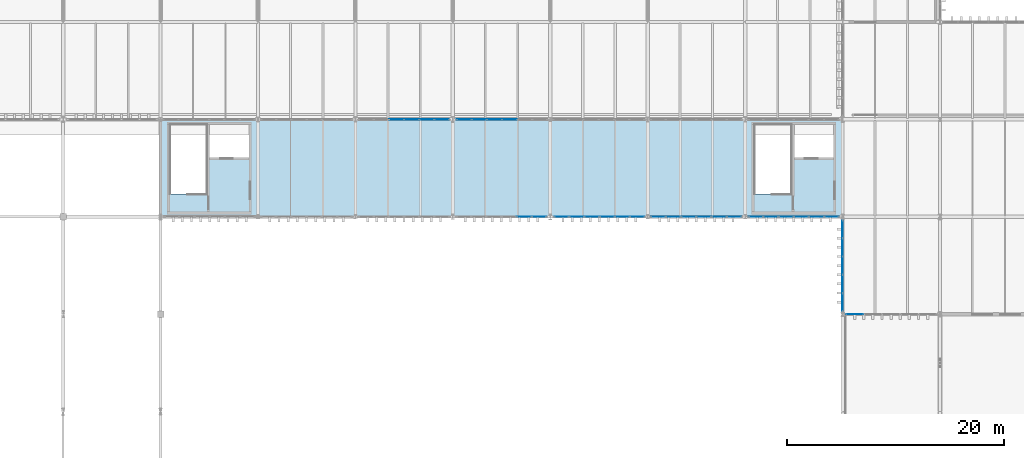
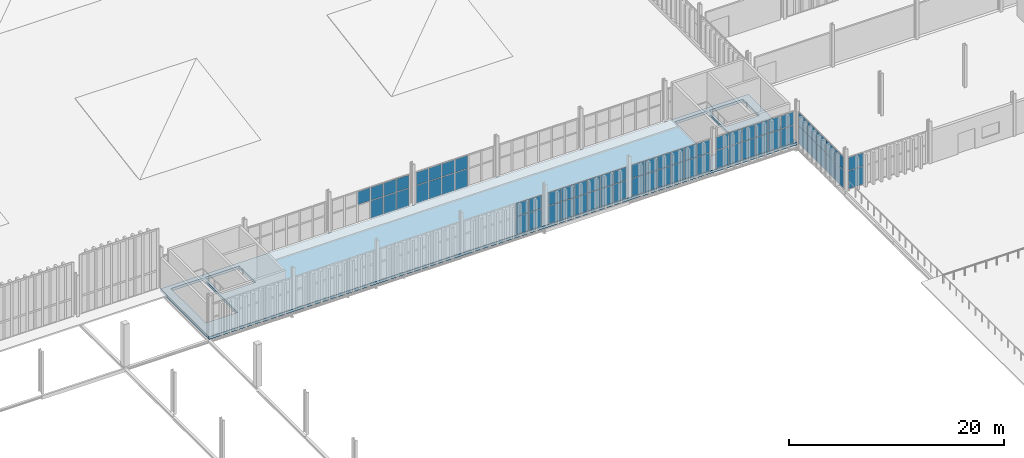
# One storey, part 159 of 196: 67 plates, 1 slab, 8 elements without a shape of their own.
"""IFC4 building model written with IfcOpenShell, lengths in metres."""

from ifc_helpers import new_model, si_unit, direction, frame, origin, origin_2d, place, context, subcontext, project, spatial, polyline, rectangle, outline, extrude, material, layer, layer_set, type_object, element, aggregate, save


model = new_model("IFC4")

# Units and contexts
model_context = context("Model", 3, precision=1e-05, world=origin(), true_north=direction((0.0, 1.0)))
body_context = subcontext(model_context, "Body", "Model", "MODEL_VIEW")
ifc_project = project(units=[si_unit("LENGTHUNIT", "METRE"), si_unit("AREAUNIT", "SQUARE_METRE"), si_unit("VOLUMEUNIT", "CUBIC_METRE"), si_unit("PLANEANGLEUNIT", "RADIAN"), si_unit("MASSUNIT", "GRAM", prefix="KILO")], contexts=[model_context])

# Site, building, storey
site_placement = place(None, origin())
site = spatial("IfcSite", under=ifc_project, at=site_placement, CompositionType="ELEMENT")
building_placement = place(site_placement, origin())
building = spatial("IfcBuilding", under=site, at=building_placement, Name="Barlavento Convention Centre", CompositionType="ELEMENT")
storey_placement = place(building_placement, frame((0.0, 0.0, 18.0)))
storey = spatial("IfcBuildingStorey", under=building, at=storey_placement, Name="L03", CompositionType="ELEMENT", Elevation=18.0)

# Curtain wall, plates
ifc_material_1 = material(Name="Powder-coated aluminium and Low-E glass", Category="aluminium")
ifc_layer_1 = layer(ifc_material_1, 0.179931640625)
ifc_layer_set_1 = layer_set([ifc_layer_1], Name="ARC-CW-CONF-L03")
curtain_wall_type = type_object("IfcCurtainWallType", Name="ARC-CW-CONF-L03", PredefinedType="NOTDEFINED", material=ifc_layer_set_1)
curtain_wall_1_placement = place(storey_placement, origin())
curtain_wall_1 = element("IfcCurtainWall", 1, at=curtain_wall_1_placement, inside=storey, type_object=curtain_wall_type, Name="L03 unitised curtain wall CW08", PredefinedType="NOTDEFINED")
ifc_material_2 = material(Name="Double-silver Low-E insulated glass", Category="glass")
ifc_layer_2 = layer(ifc_material_2, 0.028076171875)
ifc_layer_set_2 = layer_set([ifc_layer_2], Name="ARC-CWP-GLZ28")
plate_type_1 = type_object("IfcPlateType", Name="ARC-CWP-GLZ28", PredefinedType="CURTAIN_PANEL", material=ifc_layer_set_2)
plate_1_placement = place(storey_placement, frame((84.788818359375, 54.0, 2.130126953125), z_axis=(0.0, 0.0, 1.0), x_axis=(1.0, 0.0, 0.0)))
plate_1 = element("IfcPlate", 2, at=plate_1_placement, type_object=plate_type_1, Name="CW08 panel 3.2", PredefinedType="CURTAIN_PANEL", context=body_context, shape_type="SweptSolid", body=[
    extrude(rectangle(XDim=1.33740234375, YDim=0.028076171875, at=origin_2d()), origin(), (0.0, 0.0, 1.0), 1.4599609375),
])
plate_2_placement = place(storey_placement, frame((86.186279296875, 54.0, 0.06005859375), z_axis=(0.0, 0.0, 1.0), x_axis=(1.0, 0.0, 0.0)))
plate_2 = element("IfcPlate", 3, at=plate_2_placement, type_object=plate_type_1, Name="CW08 panel 4.1", PredefinedType="CURTAIN_PANEL", context=body_context, shape_type="SweptSolid", body=[
    extrude(rectangle(XDim=1.33740234375, YDim=0.028076171875, at=origin_2d()), origin(), (0.0, 0.0, 1.0), 2.010009765625),
])
plate_3_placement = place(storey_placement, frame((86.186279296875, 54.0, 2.130126953125), z_axis=(0.0, 0.0, 1.0), x_axis=(1.0, 0.0, 0.0)))
plate_3 = element("IfcPlate", 4, at=plate_3_placement, type_object=plate_type_1, Name="CW08 panel 4.2", PredefinedType="CURTAIN_PANEL", context=body_context, shape_type="SweptSolid", body=[
    extrude(rectangle(XDim=1.33740234375, YDim=0.028076171875, at=origin_2d()), origin(), (0.0, 0.0, 1.0), 1.4599609375),
])
plate_4_placement = place(storey_placement, frame((87.583740234375, 54.0, 0.06005859375), z_axis=(0.0, 0.0, 1.0), x_axis=(1.0, 0.0, 0.0)))
plate_4 = element("IfcPlate", 5, at=plate_4_placement, type_object=plate_type_1, Name="CW08 panel 5.1", PredefinedType="CURTAIN_PANEL", context=body_context, shape_type="SweptSolid", body=[
    extrude(rectangle(XDim=1.33740234375, YDim=0.028076171875, at=origin_2d()), origin(), (0.0, 0.0, 1.0), 2.010009765625),
])
plate_5_placement = place(storey_placement, frame((87.583740234375, 54.0, 2.130126953125), z_axis=(0.0, 0.0, 1.0), x_axis=(1.0, 0.0, 0.0)))
plate_5 = element("IfcPlate", 6, at=plate_5_placement, type_object=plate_type_1, Name="CW08 panel 5.2", PredefinedType="CURTAIN_PANEL", context=body_context, shape_type="SweptSolid", body=[
    extrude(rectangle(XDim=1.33740234375, YDim=0.028076171875, at=origin_2d()), origin(), (0.0, 0.0, 1.0), 1.4599609375),
])
plate_6_placement = place(storey_placement, frame((88.96630859375, 54.0, 0.06005859375), z_axis=(0.0, 0.0, 1.0), x_axis=(1.0, 0.0, 0.0)))
plate_6 = element("IfcPlate", 7, at=plate_6_placement, type_object=plate_type_1, Name="CW08 panel 6.1", PredefinedType="CURTAIN_PANEL", context=body_context, shape_type="SweptSolid", body=[
    extrude(rectangle(XDim=1.3076171875, YDim=0.028076171875, at=origin_2d()), origin(), (0.0, 0.0, 1.0), 2.010009765625),
])
plate_7_placement = place(storey_placement, frame((88.96630859375, 54.0, 2.130126953125), z_axis=(0.0, 0.0, 1.0), x_axis=(1.0, 0.0, 0.0)))
plate_7 = element("IfcPlate", 8, at=plate_7_placement, type_object=plate_type_1, Name="CW08 panel 6.2", PredefinedType="CURTAIN_PANEL", context=body_context, shape_type="SweptSolid", body=[
    extrude(rectangle(XDim=1.3076171875, YDim=0.028076171875, at=origin_2d()), origin(), (0.0, 0.0, 1.0), 1.4599609375),
])
aggregate(curtain_wall_1, [plate_1, plate_2, plate_3, plate_4, plate_5, plate_6, plate_7])

curtain_wall_2_placement = place(storey_placement, origin())
curtain_wall_2 = element("IfcCurtainWall", 9, at=curtain_wall_2_placement, inside=storey, type_object=curtain_wall_type, Name="L03 unitised curtain wall CW08", PredefinedType="NOTDEFINED")
plate_8_placement = place(storey_placement, frame((91.038330078125, 54.0, 0.06005859375), z_axis=(0.0, 0.0, 1.0), x_axis=(1.0, 0.0, 0.0)))
plate_8 = element("IfcPlate", 10, at=plate_8_placement, type_object=plate_type_1, Name="CW08 panel 1.1", PredefinedType="CURTAIN_PANEL", context=body_context, shape_type="SweptSolid", body=[
    extrude(rectangle(XDim=1.316650390625, YDim=0.028076171875, at=origin_2d()), origin(), (0.0, 0.0, 1.0), 2.010009765625),
])
plate_9_placement = place(storey_placement, frame((91.038330078125, 54.0, 2.130126953125), z_axis=(0.0, 0.0, 1.0), x_axis=(1.0, 0.0, 0.0)))
plate_9 = element("IfcPlate", 11, at=plate_9_placement, type_object=plate_type_1, Name="CW08 panel 1.2", PredefinedType="CURTAIN_PANEL", context=body_context, shape_type="SweptSolid", body=[
    extrude(rectangle(XDim=1.316650390625, YDim=0.028076171875, at=origin_2d()), origin(), (0.0, 0.0, 1.0), 1.4599609375),
])
plate_10_placement = place(storey_placement, frame((92.429931640625, 54.0, 0.06005859375), z_axis=(0.0, 0.0, 1.0), x_axis=(1.0, 0.0, 0.0)))
plate_10 = element("IfcPlate", 12, at=plate_10_placement, type_object=plate_type_1, Name="CW08 panel 2.1", PredefinedType="CURTAIN_PANEL", context=body_context, shape_type="SweptSolid", body=[
    extrude(rectangle(XDim=1.3466796875, YDim=0.028076171875, at=origin_2d()), origin(), (0.0, 0.0, 1.0), 2.010009765625),
])
plate_11_placement = place(storey_placement, frame((92.429931640625, 54.0, 2.130126953125), z_axis=(0.0, 0.0, 1.0), x_axis=(1.0, 0.0, 0.0)))
plate_11 = element("IfcPlate", 13, at=plate_11_placement, type_object=plate_type_1, Name="CW08 panel 2.2", PredefinedType="CURTAIN_PANEL", context=body_context, shape_type="SweptSolid", body=[
    extrude(rectangle(XDim=1.3466796875, YDim=0.028076171875, at=origin_2d()), origin(), (0.0, 0.0, 1.0), 1.4599609375),
])
plate_12_placement = place(storey_placement, frame((93.836669921875, 54.0, 0.06005859375), z_axis=(0.0, 0.0, 1.0), x_axis=(1.0, 0.0, 0.0)))
plate_12 = element("IfcPlate", 14, at=plate_12_placement, type_object=plate_type_1, Name="CW08 panel 3.1", PredefinedType="CURTAIN_PANEL", context=body_context, shape_type="SweptSolid", body=[
    extrude(rectangle(XDim=1.3466796875, YDim=0.028076171875, at=origin_2d()), origin(), (0.0, 0.0, 1.0), 2.010009765625),
])
plate_13_placement = place(storey_placement, frame((93.836669921875, 54.0, 2.130126953125), z_axis=(0.0, 0.0, 1.0), x_axis=(1.0, 0.0, 0.0)))
plate_13 = element("IfcPlate", 15, at=plate_13_placement, type_object=plate_type_1, Name="CW08 panel 3.2", PredefinedType="CURTAIN_PANEL", context=body_context, shape_type="SweptSolid", body=[
    extrude(rectangle(XDim=1.3466796875, YDim=0.028076171875, at=origin_2d()), origin(), (0.0, 0.0, 1.0), 1.4599609375),
])
plate_14_placement = place(storey_placement, frame((95.243408203125, 54.0, 0.06005859375), z_axis=(0.0, 0.0, 1.0), x_axis=(1.0, 0.0, 0.0)))
plate_14 = element("IfcPlate", 16, at=plate_14_placement, type_object=plate_type_1, Name="CW08 panel 4.1", PredefinedType="CURTAIN_PANEL", context=body_context, shape_type="SweptSolid", body=[
    extrude(rectangle(XDim=1.3466796875, YDim=0.028076171875, at=origin_2d()), origin(), (0.0, 0.0, 1.0), 2.010009765625),
])
plate_15_placement = place(storey_placement, frame((95.243408203125, 54.0, 2.130126953125), z_axis=(0.0, 0.0, 1.0), x_axis=(1.0, 0.0, 0.0)))
plate_15 = element("IfcPlate", 17, at=plate_15_placement, type_object=plate_type_1, Name="CW08 panel 4.2", PredefinedType="CURTAIN_PANEL", context=body_context, shape_type="SweptSolid", body=[
    extrude(rectangle(XDim=1.3466796875, YDim=0.028076171875, at=origin_2d()), origin(), (0.0, 0.0, 1.0), 1.4599609375),
])
aggregate(curtain_wall_2, [plate_8, plate_9, plate_10, plate_11, plate_12, plate_13, plate_14, plate_15])

curtain_wall_3_placement = place(storey_placement, origin())
curtain_wall_3 = element("IfcCurtainWall", 18, at=curtain_wall_3_placement, inside=storey, type_object=curtain_wall_type, Name="L03 unitised curtain wall CW08", PredefinedType="NOTDEFINED")
plate_16_placement = place(storey_placement, frame((127.12841796875, 36.0, 0.06005859375), z_axis=(0.0, 0.0, 1.0), x_axis=(1.0, 0.0, 0.0)))
plate_16 = element("IfcPlate", 19, at=plate_16_placement, type_object=plate_type_1, Name="CW08 panel 1.1", PredefinedType="CURTAIN_PANEL", context=body_context, shape_type="SweptSolid", body=[
    extrude(rectangle(XDim=1.596923828125, YDim=0.028076171875, at=origin_2d()), origin(), (0.0, 0.0, 1.0), 2.010009765625),
])
plate_17_placement = place(storey_placement, frame((127.12841796875, 36.0, 2.130126953125), z_axis=(0.0, 0.0, 1.0), x_axis=(1.0, 0.0, 0.0)))
plate_17 = element("IfcPlate", 20, at=plate_17_placement, type_object=plate_type_1, Name="CW08 panel 1.2", PredefinedType="CURTAIN_PANEL", context=body_context, shape_type="SweptSolid", body=[
    extrude(rectangle(XDim=1.596923828125, YDim=0.028076171875, at=origin_2d()), origin(), (0.0, 0.0, 1.0), 1.4599609375),
])
aggregate(curtain_wall_3, [plate_16, plate_17])

curtain_wall_4_placement = place(storey_placement, origin())
curtain_wall_4 = element("IfcCurtainWall", 21, at=curtain_wall_4_placement, inside=storey, type_object=curtain_wall_type, Name="L03 unitised curtain wall CW08", PredefinedType="NOTDEFINED")
plate_18_placement = place(storey_placement, frame((126.0, 37.12841796875, 0.06005859375), z_axis=(0.0, 0.0, 1.0), x_axis=(0.0, 1.0, 0.0)))
plate_18 = element("IfcPlate", 22, at=plate_18_placement, type_object=plate_type_1, Name="CW08 panel 1.1", PredefinedType="CURTAIN_PANEL", context=body_context, shape_type="SweptSolid", body=[
    extrude(rectangle(XDim=1.596923828125, YDim=0.028076171875, at=origin_2d()), origin(), (0.0, 0.0, 1.0), 2.010009765625),
])
plate_19_placement = place(storey_placement, frame((126.0, 37.12841796875, 2.130126953125), z_axis=(0.0, 0.0, 1.0), x_axis=(0.0, 1.0, 0.0)))
plate_19 = element("IfcPlate", 23, at=plate_19_placement, type_object=plate_type_1, Name="CW08 panel 1.2", PredefinedType="CURTAIN_PANEL", context=body_context, shape_type="SweptSolid", body=[
    extrude(rectangle(XDim=1.596923828125, YDim=0.028076171875, at=origin_2d()), origin(), (0.0, 0.0, 1.0), 1.4599609375),
])
plate_20_placement = place(storey_placement, frame((126.0, 38.800537109375, 0.06005859375), z_axis=(0.0, 0.0, 1.0), x_axis=(0.0, 1.0, 0.0)))
plate_20 = element("IfcPlate", 24, at=plate_20_placement, type_object=plate_type_1, Name="CW08 panel 2.1", PredefinedType="CURTAIN_PANEL", context=body_context, shape_type="SweptSolid", body=[
    extrude(rectangle(XDim=1.626953125, YDim=0.028076171875, at=origin_2d()), origin(), (0.0, 0.0, 1.0), 2.010009765625),
])
plate_21_placement = place(storey_placement, frame((126.0, 38.800537109375, 2.130126953125), z_axis=(0.0, 0.0, 1.0), x_axis=(0.0, 1.0, 0.0)))
plate_21 = element("IfcPlate", 25, at=plate_21_placement, type_object=plate_type_1, Name="CW08 panel 2.2", PredefinedType="CURTAIN_PANEL", context=body_context, shape_type="SweptSolid", body=[
    extrude(rectangle(XDim=1.626953125, YDim=0.028076171875, at=origin_2d()), origin(), (0.0, 0.0, 1.0), 1.4599609375),
])
plate_22_placement = place(storey_placement, frame((126.0, 40.487548828125, 0.06005859375), z_axis=(0.0, 0.0, 1.0), x_axis=(0.0, 1.0, 0.0)))
plate_22 = element("IfcPlate", 26, at=plate_22_placement, type_object=plate_type_1, Name="CW08 panel 3.1", PredefinedType="CURTAIN_PANEL", context=body_context, shape_type="SweptSolid", body=[
    extrude(rectangle(XDim=1.626953125, YDim=0.028076171875, at=origin_2d()), origin(), (0.0, 0.0, 1.0), 2.010009765625),
])
plate_23_placement = place(storey_placement, frame((126.0, 40.487548828125, 2.130126953125), z_axis=(0.0, 0.0, 1.0), x_axis=(0.0, 1.0, 0.0)))
plate_23 = element("IfcPlate", 27, at=plate_23_placement, type_object=plate_type_1, Name="CW08 panel 3.2", PredefinedType="CURTAIN_PANEL", context=body_context, shape_type="SweptSolid", body=[
    extrude(rectangle(XDim=1.626953125, YDim=0.028076171875, at=origin_2d()), origin(), (0.0, 0.0, 1.0), 1.4599609375),
])
plate_24_placement = place(storey_placement, frame((126.0, 42.174560546875, 0.06005859375), z_axis=(0.0, 0.0, 1.0), x_axis=(0.0, 1.0, 0.0)))
plate_24 = element("IfcPlate", 28, at=plate_24_placement, type_object=plate_type_1, Name="CW08 panel 4.1", PredefinedType="CURTAIN_PANEL", context=body_context, shape_type="SweptSolid", body=[
    extrude(rectangle(XDim=1.626953125, YDim=0.028076171875, at=origin_2d()), origin(), (0.0, 0.0, 1.0), 2.010009765625),
])
plate_25_placement = place(storey_placement, frame((126.0, 42.174560546875, 2.130126953125), z_axis=(0.0, 0.0, 1.0), x_axis=(0.0, 1.0, 0.0)))
plate_25 = element("IfcPlate", 29, at=plate_25_placement, type_object=plate_type_1, Name="CW08 panel 4.2", PredefinedType="CURTAIN_PANEL", context=body_context, shape_type="SweptSolid", body=[
    extrude(rectangle(XDim=1.626953125, YDim=0.028076171875, at=origin_2d()), origin(), (0.0, 0.0, 1.0), 1.4599609375),
])
plate_26_placement = place(storey_placement, frame((126.0, 43.846435546875, 0.06005859375), z_axis=(0.0, 0.0, 1.0), x_axis=(0.0, 1.0, 0.0)))
plate_26 = element("IfcPlate", 30, at=plate_26_placement, type_object=plate_type_1, Name="CW08 panel 5.1", PredefinedType="CURTAIN_PANEL", context=body_context, shape_type="SweptSolid", body=[
    extrude(rectangle(XDim=1.596923828125, YDim=0.028076171875, at=origin_2d()), origin(), (0.0, 0.0, 1.0), 2.010009765625),
])
plate_27_placement = place(storey_placement, frame((126.0, 43.846435546875, 2.130126953125), z_axis=(0.0, 0.0, 1.0), x_axis=(0.0, 1.0, 0.0)))
plate_27 = element("IfcPlate", 31, at=plate_27_placement, type_object=plate_type_1, Name="CW08 panel 5.2", PredefinedType="CURTAIN_PANEL", context=body_context, shape_type="SweptSolid", body=[
    extrude(rectangle(XDim=1.596923828125, YDim=0.028076171875, at=origin_2d()), origin(), (0.0, 0.0, 1.0), 1.4599609375),
])
aggregate(curtain_wall_4, [plate_18, plate_19, plate_20, plate_21, plate_22, plate_23, plate_24, plate_25, plate_26, plate_27])

curtain_wall_5_placement = place(storey_placement, origin())
curtain_wall_5 = element("IfcCurtainWall", 32, at=curtain_wall_5_placement, inside=storey, type_object=curtain_wall_type, Name="L03 unitised curtain wall CW08", PredefinedType="NOTDEFINED")
ifc_material_3 = material(Name="Double-silver Low-E acoustic laminated glass", Category="glass")
ifc_layer_3 = layer(ifc_material_3, 0.031982421875)
ifc_layer_set_3 = layer_set([ifc_layer_3], Name="ARC-CWP-GLZ32")
plate_type_2 = type_object("IfcPlateType", Name="ARC-CWP-GLZ32", PredefinedType="CURTAIN_PANEL", material=ifc_layer_set_3)
plate_28_placement = place(storey_placement, frame((96.578857421875, 45.0, 0.06494140625), z_axis=(0.0, 0.0, 1.0), x_axis=(1.0, 0.0, 0.0)))
plate_28 = element("IfcPlate", 33, at=plate_28_placement, type_object=plate_type_2, Name="CW08 panel 5.1", PredefinedType="CURTAIN_PANEL", context=body_context, shape_type="SweptSolid", body=[
    extrude(rectangle(XDim=1.3291015625, YDim=0.031982421875, at=origin_2d()), origin(), (0.0, 0.0, 1.0), 2.00244140625),
])
plate_29_placement = place(storey_placement, frame((96.578857421875, 45.0, 2.13232421875), z_axis=(0.0, 0.0, 1.0), x_axis=(1.0, 0.0, 0.0)))
plate_29 = element("IfcPlate", 34, at=plate_29_placement, type_object=plate_type_2, Name="CW08 panel 5.2", PredefinedType="CURTAIN_PANEL", context=body_context, shape_type="SweptSolid", body=[
    extrude(rectangle(XDim=1.3291015625, YDim=0.031982421875, at=origin_2d()), origin(), (0.0, 0.0, 1.0), 1.452392578125),
])
plate_30_placement = place(storey_placement, frame((97.956787109375, 45.0, 0.06494140625), z_axis=(0.0, 0.0, 1.0), x_axis=(1.0, 0.0, 0.0)))
plate_30 = element("IfcPlate", 35, at=plate_30_placement, type_object=plate_type_2, Name="CW08 panel 6.1", PredefinedType="CURTAIN_PANEL", context=body_context, shape_type="SweptSolid", body=[
    extrude(rectangle(XDim=1.296630859375, YDim=0.031982421875, at=origin_2d()), origin(), (0.0, 0.0, 1.0), 2.00244140625),
])
plate_31_placement = place(storey_placement, frame((97.956787109375, 45.0, 2.13232421875), z_axis=(0.0, 0.0, 1.0), x_axis=(1.0, 0.0, 0.0)))
plate_31 = element("IfcPlate", 36, at=plate_31_placement, type_object=plate_type_2, Name="CW08 panel 6.2", PredefinedType="CURTAIN_PANEL", context=body_context, shape_type="SweptSolid", body=[
    extrude(rectangle(XDim=1.296630859375, YDim=0.031982421875, at=origin_2d()), origin(), (0.0, 0.0, 1.0), 1.452392578125),
])
aggregate(curtain_wall_5, [plate_28, plate_29, plate_30, plate_31])

curtain_wall_6_placement = place(storey_placement, origin())
curtain_wall_6 = element("IfcCurtainWall", 37, at=curtain_wall_6_placement, inside=storey, type_object=curtain_wall_type, Name="L03 unitised curtain wall CW08", PredefinedType="NOTDEFINED")
plate_32_placement = place(storey_placement, frame((100.0478515625, 45.0, 0.06494140625), z_axis=(0.0, 0.0, 1.0), x_axis=(1.0, 0.0, 0.0)))
plate_32 = element("IfcPlate", 38, at=plate_32_placement, type_object=plate_type_2, Name="CW08 panel 1.1", PredefinedType="CURTAIN_PANEL", context=body_context, shape_type="SweptSolid", body=[
    extrude(rectangle(XDim=1.305908203125, YDim=0.031982421875, at=origin_2d()), origin(), (0.0, 0.0, 1.0), 2.00244140625),
])
plate_33_placement = place(storey_placement, frame((100.0478515625, 45.0, 2.13232421875), z_axis=(0.0, 0.0, 1.0), x_axis=(1.0, 0.0, 0.0)))
plate_33 = element("IfcPlate", 39, at=plate_33_placement, type_object=plate_type_2, Name="CW08 panel 1.2", PredefinedType="CURTAIN_PANEL", context=body_context, shape_type="SweptSolid", body=[
    extrude(rectangle(XDim=1.305908203125, YDim=0.031982421875, at=origin_2d()), origin(), (0.0, 0.0, 1.0), 1.452392578125),
])
plate_34_placement = place(storey_placement, frame((101.43505859375, 45.0, 0.06494140625), z_axis=(0.0, 0.0, 1.0), x_axis=(1.0, 0.0, 0.0)))
plate_34 = element("IfcPlate", 40, at=plate_34_placement, type_object=plate_type_2, Name="CW08 panel 2.1", PredefinedType="CURTAIN_PANEL", context=body_context, shape_type="SweptSolid", body=[
    extrude(rectangle(XDim=1.33837890625, YDim=0.031982421875, at=origin_2d()), origin(), (0.0, 0.0, 1.0), 2.00244140625),
])
plate_35_placement = place(storey_placement, frame((101.43505859375, 45.0, 2.13232421875), z_axis=(0.0, 0.0, 1.0), x_axis=(1.0, 0.0, 0.0)))
plate_35 = element("IfcPlate", 41, at=plate_35_placement, type_object=plate_type_2, Name="CW08 panel 2.2", PredefinedType="CURTAIN_PANEL", context=body_context, shape_type="SweptSolid", body=[
    extrude(rectangle(XDim=1.33837890625, YDim=0.031982421875, at=origin_2d()), origin(), (0.0, 0.0, 1.0), 1.452392578125),
])
plate_36_placement = place(storey_placement, frame((102.83837890625, 45.0, 0.06494140625), z_axis=(0.0, 0.0, 1.0), x_axis=(1.0, 0.0, 0.0)))
plate_36 = element("IfcPlate", 42, at=plate_36_placement, type_object=plate_type_2, Name="CW08 panel 3.1", PredefinedType="CURTAIN_PANEL", context=body_context, shape_type="SweptSolid", body=[
    extrude(rectangle(XDim=1.33837890625, YDim=0.031982421875, at=origin_2d()), origin(), (0.0, 0.0, 1.0), 2.00244140625),
])
plate_37_placement = place(storey_placement, frame((102.83837890625, 45.0, 2.13232421875), z_axis=(0.0, 0.0, 1.0), x_axis=(1.0, 0.0, 0.0)))
plate_37 = element("IfcPlate", 43, at=plate_37_placement, type_object=plate_type_2, Name="CW08 panel 3.2", PredefinedType="CURTAIN_PANEL", context=body_context, shape_type="SweptSolid", body=[
    extrude(rectangle(XDim=1.33837890625, YDim=0.031982421875, at=origin_2d()), origin(), (0.0, 0.0, 1.0), 1.452392578125),
])
plate_38_placement = place(storey_placement, frame((104.24169921875, 45.0, 0.06494140625), z_axis=(0.0, 0.0, 1.0), x_axis=(1.0, 0.0, 0.0)))
plate_38 = element("IfcPlate", 44, at=plate_38_placement, type_object=plate_type_2, Name="CW08 panel 4.1", PredefinedType="CURTAIN_PANEL", context=body_context, shape_type="SweptSolid", body=[
    extrude(rectangle(XDim=1.33837890625, YDim=0.031982421875, at=origin_2d()), origin(), (0.0, 0.0, 1.0), 2.00244140625),
])
plate_39_placement = place(storey_placement, frame((104.24169921875, 45.0, 2.13232421875), z_axis=(0.0, 0.0, 1.0), x_axis=(1.0, 0.0, 0.0)))
plate_39 = element("IfcPlate", 45, at=plate_39_placement, type_object=plate_type_2, Name="CW08 panel 4.2", PredefinedType="CURTAIN_PANEL", context=body_context, shape_type="SweptSolid", body=[
    extrude(rectangle(XDim=1.33837890625, YDim=0.031982421875, at=origin_2d()), origin(), (0.0, 0.0, 1.0), 1.452392578125),
])
plate_40_placement = place(storey_placement, frame((105.64501953125, 45.0, 0.06494140625), z_axis=(0.0, 0.0, 1.0), x_axis=(1.0, 0.0, 0.0)))
plate_40 = element("IfcPlate", 46, at=plate_40_placement, type_object=plate_type_2, Name="CW08 panel 5.1", PredefinedType="CURTAIN_PANEL", context=body_context, shape_type="SweptSolid", body=[
    extrude(rectangle(XDim=1.33837890625, YDim=0.031982421875, at=origin_2d()), origin(), (0.0, 0.0, 1.0), 2.00244140625),
])
plate_41_placement = place(storey_placement, frame((105.64501953125, 45.0, 2.13232421875), z_axis=(0.0, 0.0, 1.0), x_axis=(1.0, 0.0, 0.0)))
plate_41 = element("IfcPlate", 47, at=plate_41_placement, type_object=plate_type_2, Name="CW08 panel 5.2", PredefinedType="CURTAIN_PANEL", context=body_context, shape_type="SweptSolid", body=[
    extrude(rectangle(XDim=1.33837890625, YDim=0.031982421875, at=origin_2d()), origin(), (0.0, 0.0, 1.0), 1.452392578125),
])
plate_42_placement = place(storey_placement, frame((107.031982421875, 45.0, 0.06494140625), z_axis=(0.0, 0.0, 1.0), x_axis=(1.0, 0.0, 0.0)))
plate_42 = element("IfcPlate", 48, at=plate_42_placement, type_object=plate_type_2, Name="CW08 panel 6.1", PredefinedType="CURTAIN_PANEL", context=body_context, shape_type="SweptSolid", body=[
    extrude(rectangle(XDim=1.305908203125, YDim=0.031982421875, at=origin_2d()), origin(), (0.0, 0.0, 1.0), 2.00244140625),
])
plate_43_placement = place(storey_placement, frame((107.031982421875, 45.0, 2.13232421875), z_axis=(0.0, 0.0, 1.0), x_axis=(1.0, 0.0, 0.0)))
plate_43 = element("IfcPlate", 49, at=plate_43_placement, type_object=plate_type_2, Name="CW08 panel 6.2", PredefinedType="CURTAIN_PANEL", context=body_context, shape_type="SweptSolid", body=[
    extrude(rectangle(XDim=1.305908203125, YDim=0.031982421875, at=origin_2d()), origin(), (0.0, 0.0, 1.0), 1.452392578125),
])
aggregate(curtain_wall_6, [plate_32, plate_33, plate_34, plate_35, plate_36, plate_37, plate_38, plate_39, plate_40, plate_41, plate_42, plate_43])

curtain_wall_7_placement = place(storey_placement, origin())
curtain_wall_7 = element("IfcCurtainWall", 50, at=curtain_wall_7_placement, inside=storey, type_object=curtain_wall_type, Name="L03 unitised curtain wall CW08", PredefinedType="NOTDEFINED")
plate_44_placement = place(storey_placement, frame((108.97216796875, 45.0, 0.06494140625), z_axis=(0.0, 0.0, 1.0), x_axis=(1.0, 0.0, 0.0)))
plate_44 = element("IfcPlate", 51, at=plate_44_placement, type_object=plate_type_2, Name="CW08 panel 1.1", PredefinedType="CURTAIN_PANEL", context=body_context, shape_type="SweptSolid", body=[
    extrude(rectangle(XDim=1.314208984375, YDim=0.031982421875, at=origin_2d()), origin(), (0.0, 0.0, 1.0), 2.00244140625),
])
plate_45_placement = place(storey_placement, frame((108.97216796875, 45.0, 2.13232421875), z_axis=(0.0, 0.0, 1.0), x_axis=(1.0, 0.0, 0.0)))
plate_45 = element("IfcPlate", 52, at=plate_45_placement, type_object=plate_type_2, Name="CW08 panel 1.2", PredefinedType="CURTAIN_PANEL", context=body_context, shape_type="SweptSolid", body=[
    extrude(rectangle(XDim=1.314208984375, YDim=0.031982421875, at=origin_2d()), origin(), (0.0, 0.0, 1.0), 1.452392578125),
])
plate_46_placement = place(storey_placement, frame((110.367431640625, 45.0, 0.06494140625), z_axis=(0.0, 0.0, 1.0), x_axis=(1.0, 0.0, 0.0)))
plate_46 = element("IfcPlate", 53, at=plate_46_placement, type_object=plate_type_2, Name="CW08 panel 2.1", PredefinedType="CURTAIN_PANEL", context=body_context, shape_type="SweptSolid", body=[
    extrude(rectangle(XDim=1.3466796875, YDim=0.031982421875, at=origin_2d()), origin(), (0.0, 0.0, 1.0), 2.00244140625),
])
plate_47_placement = place(storey_placement, frame((110.367431640625, 45.0, 2.13232421875), z_axis=(0.0, 0.0, 1.0), x_axis=(1.0, 0.0, 0.0)))
plate_47 = element("IfcPlate", 54, at=plate_47_placement, type_object=plate_type_2, Name="CW08 panel 2.2", PredefinedType="CURTAIN_PANEL", context=body_context, shape_type="SweptSolid", body=[
    extrude(rectangle(XDim=1.3466796875, YDim=0.031982421875, at=origin_2d()), origin(), (0.0, 0.0, 1.0), 1.452392578125),
])
plate_48_placement = place(storey_placement, frame((111.779052734375, 45.0, 0.06494140625), z_axis=(0.0, 0.0, 1.0), x_axis=(1.0, 0.0, 0.0)))
plate_48 = element("IfcPlate", 55, at=plate_48_placement, type_object=plate_type_2, Name="CW08 panel 3.1", PredefinedType="CURTAIN_PANEL", context=body_context, shape_type="SweptSolid", body=[
    extrude(rectangle(XDim=1.3466796875, YDim=0.031982421875, at=origin_2d()), origin(), (0.0, 0.0, 1.0), 2.00244140625),
])
plate_49_placement = place(storey_placement, frame((111.779052734375, 45.0, 2.13232421875), z_axis=(0.0, 0.0, 1.0), x_axis=(1.0, 0.0, 0.0)))
plate_49 = element("IfcPlate", 56, at=plate_49_placement, type_object=plate_type_2, Name="CW08 panel 3.2", PredefinedType="CURTAIN_PANEL", context=body_context, shape_type="SweptSolid", body=[
    extrude(rectangle(XDim=1.3466796875, YDim=0.031982421875, at=origin_2d()), origin(), (0.0, 0.0, 1.0), 1.452392578125),
])
plate_50_placement = place(storey_placement, frame((113.19091796875, 45.0, 0.06494140625), z_axis=(0.0, 0.0, 1.0), x_axis=(1.0, 0.0, 0.0)))
plate_50 = element("IfcPlate", 57, at=plate_50_placement, type_object=plate_type_2, Name="CW08 panel 4.1", PredefinedType="CURTAIN_PANEL", context=body_context, shape_type="SweptSolid", body=[
    extrude(rectangle(XDim=1.3466796875, YDim=0.031982421875, at=origin_2d()), origin(), (0.0, 0.0, 1.0), 2.00244140625),
])
plate_51_placement = place(storey_placement, frame((113.19091796875, 45.0, 2.13232421875), z_axis=(0.0, 0.0, 1.0), x_axis=(1.0, 0.0, 0.0)))
plate_51 = element("IfcPlate", 58, at=plate_51_placement, type_object=plate_type_2, Name="CW08 panel 4.2", PredefinedType="CURTAIN_PANEL", context=body_context, shape_type="SweptSolid", body=[
    extrude(rectangle(XDim=1.3466796875, YDim=0.031982421875, at=origin_2d()), origin(), (0.0, 0.0, 1.0), 1.452392578125),
])
plate_52_placement = place(storey_placement, frame((114.6025390625, 45.0, 0.06494140625), z_axis=(0.0, 0.0, 1.0), x_axis=(1.0, 0.0, 0.0)))
plate_52 = element("IfcPlate", 59, at=plate_52_placement, type_object=plate_type_2, Name="CW08 panel 5.1", PredefinedType="CURTAIN_PANEL", context=body_context, shape_type="SweptSolid", body=[
    extrude(rectangle(XDim=1.3466796875, YDim=0.031982421875, at=origin_2d()), origin(), (0.0, 0.0, 1.0), 2.00244140625),
])
plate_53_placement = place(storey_placement, frame((114.6025390625, 45.0, 2.13232421875), z_axis=(0.0, 0.0, 1.0), x_axis=(1.0, 0.0, 0.0)))
plate_53 = element("IfcPlate", 60, at=plate_53_placement, type_object=plate_type_2, Name="CW08 panel 5.2", PredefinedType="CURTAIN_PANEL", context=body_context, shape_type="SweptSolid", body=[
    extrude(rectangle(XDim=1.3466796875, YDim=0.031982421875, at=origin_2d()), origin(), (0.0, 0.0, 1.0), 1.452392578125),
])
plate_54_placement = place(storey_placement, frame((115.997802734375, 45.0, 0.06494140625), z_axis=(0.0, 0.0, 1.0), x_axis=(1.0, 0.0, 0.0)))
plate_54 = element("IfcPlate", 61, at=plate_54_placement, type_object=plate_type_2, Name="CW08 panel 6.1", PredefinedType="CURTAIN_PANEL", context=body_context, shape_type="SweptSolid", body=[
    extrude(rectangle(XDim=1.314208984375, YDim=0.031982421875, at=origin_2d()), origin(), (0.0, 0.0, 1.0), 2.00244140625),
])
plate_55_placement = place(storey_placement, frame((115.997802734375, 45.0, 2.13232421875), z_axis=(0.0, 0.0, 1.0), x_axis=(1.0, 0.0, 0.0)))
plate_55 = element("IfcPlate", 62, at=plate_55_placement, type_object=plate_type_2, Name="CW08 panel 6.2", PredefinedType="CURTAIN_PANEL", context=body_context, shape_type="SweptSolid", body=[
    extrude(rectangle(XDim=1.314208984375, YDim=0.031982421875, at=origin_2d()), origin(), (0.0, 0.0, 1.0), 1.452392578125),
])
aggregate(curtain_wall_7, [plate_44, plate_45, plate_46, plate_47, plate_48, plate_49, plate_50, plate_51, plate_52, plate_53, plate_54, plate_55])

curtain_wall_8_placement = place(storey_placement, origin())
curtain_wall_8 = element("IfcCurtainWall", 63, at=curtain_wall_8_placement, inside=storey, type_object=curtain_wall_type, Name="L03 unitised curtain wall CW08", PredefinedType="NOTDEFINED")
plate_56_placement = place(storey_placement, frame((117.99755859375, 45.0, 0.06494140625), z_axis=(0.0, 0.0, 1.0), x_axis=(1.0, 0.0, 0.0)))
plate_56 = element("IfcPlate", 64, at=plate_56_placement, type_object=plate_type_2, Name="CW08 panel 1.1", PredefinedType="CURTAIN_PANEL", context=body_context, shape_type="SweptSolid", body=[
    extrude(rectangle(XDim=1.304931640625, YDim=0.031982421875, at=origin_2d()), origin(), (0.0, 0.0, 1.0), 2.00244140625),
])
plate_57_placement = place(storey_placement, frame((117.99755859375, 45.0, 2.13232421875), z_axis=(0.0, 0.0, 1.0), x_axis=(1.0, 0.0, 0.0)))
plate_57 = element("IfcPlate", 65, at=plate_57_placement, type_object=plate_type_2, Name="CW08 panel 1.2", PredefinedType="CURTAIN_PANEL", context=body_context, shape_type="SweptSolid", body=[
    extrude(rectangle(XDim=1.304931640625, YDim=0.031982421875, at=origin_2d()), origin(), (0.0, 0.0, 1.0), 1.452392578125),
])
plate_58_placement = place(storey_placement, frame((119.3837890625, 45.0, 0.06494140625), z_axis=(0.0, 0.0, 1.0), x_axis=(1.0, 0.0, 0.0)))
plate_58 = element("IfcPlate", 66, at=plate_58_placement, type_object=plate_type_2, Name="CW08 panel 2.1", PredefinedType="CURTAIN_PANEL", context=body_context, shape_type="SweptSolid", body=[
    extrude(rectangle(XDim=1.33740234375, YDim=0.031982421875, at=origin_2d()), origin(), (0.0, 0.0, 1.0), 2.00244140625),
])
plate_59_placement = place(storey_placement, frame((119.3837890625, 45.0, 2.13232421875), z_axis=(0.0, 0.0, 1.0), x_axis=(1.0, 0.0, 0.0)))
plate_59 = element("IfcPlate", 67, at=plate_59_placement, type_object=plate_type_2, Name="CW08 panel 2.2", PredefinedType="CURTAIN_PANEL", context=body_context, shape_type="SweptSolid", body=[
    extrude(rectangle(XDim=1.33740234375, YDim=0.031982421875, at=origin_2d()), origin(), (0.0, 0.0, 1.0), 1.452392578125),
])
plate_60_placement = place(storey_placement, frame((120.7861328125, 45.0, 0.06494140625), z_axis=(0.0, 0.0, 1.0), x_axis=(1.0, 0.0, 0.0)))
plate_60 = element("IfcPlate", 68, at=plate_60_placement, type_object=plate_type_2, Name="CW08 panel 3.1", PredefinedType="CURTAIN_PANEL", context=body_context, shape_type="SweptSolid", body=[
    extrude(rectangle(XDim=1.33740234375, YDim=0.031982421875, at=origin_2d()), origin(), (0.0, 0.0, 1.0), 2.00244140625),
])
plate_61_placement = place(storey_placement, frame((120.7861328125, 45.0, 2.13232421875), z_axis=(0.0, 0.0, 1.0), x_axis=(1.0, 0.0, 0.0)))
plate_61 = element("IfcPlate", 69, at=plate_61_placement, type_object=plate_type_2, Name="CW08 panel 3.2", PredefinedType="CURTAIN_PANEL", context=body_context, shape_type="SweptSolid", body=[
    extrude(rectangle(XDim=1.33740234375, YDim=0.031982421875, at=origin_2d()), origin(), (0.0, 0.0, 1.0), 1.452392578125),
])
plate_62_placement = place(storey_placement, frame((122.188720703125, 45.0, 0.06494140625), z_axis=(0.0, 0.0, 1.0), x_axis=(1.0, 0.0, 0.0)))
plate_62 = element("IfcPlate", 70, at=plate_62_placement, type_object=plate_type_2, Name="CW08 panel 4.1", PredefinedType="CURTAIN_PANEL", context=body_context, shape_type="SweptSolid", body=[
    extrude(rectangle(XDim=1.33740234375, YDim=0.031982421875, at=origin_2d()), origin(), (0.0, 0.0, 1.0), 2.00244140625),
])
plate_63_placement = place(storey_placement, frame((122.188720703125, 45.0, 2.13232421875), z_axis=(0.0, 0.0, 1.0), x_axis=(1.0, 0.0, 0.0)))
plate_63 = element("IfcPlate", 71, at=plate_63_placement, type_object=plate_type_2, Name="CW08 panel 4.2", PredefinedType="CURTAIN_PANEL", context=body_context, shape_type="SweptSolid", body=[
    extrude(rectangle(XDim=1.33740234375, YDim=0.031982421875, at=origin_2d()), origin(), (0.0, 0.0, 1.0), 1.452392578125),
])
plate_64_placement = place(storey_placement, frame((123.59130859375, 45.0, 0.06494140625), z_axis=(0.0, 0.0, 1.0), x_axis=(1.0, 0.0, 0.0)))
plate_64 = element("IfcPlate", 72, at=plate_64_placement, type_object=plate_type_2, Name="CW08 panel 5.1", PredefinedType="CURTAIN_PANEL", context=body_context, shape_type="SweptSolid", body=[
    extrude(rectangle(XDim=1.33740234375, YDim=0.031982421875, at=origin_2d()), origin(), (0.0, 0.0, 1.0), 2.00244140625),
])
plate_65_placement = place(storey_placement, frame((123.59130859375, 45.0, 2.13232421875), z_axis=(0.0, 0.0, 1.0), x_axis=(1.0, 0.0, 0.0)))
plate_65 = element("IfcPlate", 73, at=plate_65_placement, type_object=plate_type_2, Name="CW08 panel 5.2", PredefinedType="CURTAIN_PANEL", context=body_context, shape_type="SweptSolid", body=[
    extrude(rectangle(XDim=1.33740234375, YDim=0.031982421875, at=origin_2d()), origin(), (0.0, 0.0, 1.0), 1.452392578125),
])
plate_66_placement = place(storey_placement, frame((124.9775390625, 45.0, 0.06494140625), z_axis=(0.0, 0.0, 1.0), x_axis=(1.0, 0.0, 0.0)))
plate_66 = element("IfcPlate", 74, at=plate_66_placement, type_object=plate_type_2, Name="CW08 panel 6.1", PredefinedType="CURTAIN_PANEL", context=body_context, shape_type="SweptSolid", body=[
    extrude(rectangle(XDim=1.304931640625, YDim=0.031982421875, at=origin_2d()), origin(), (0.0, 0.0, 1.0), 2.00244140625),
])
plate_67_placement = place(storey_placement, frame((124.9775390625, 45.0, 2.13232421875), z_axis=(0.0, 0.0, 1.0), x_axis=(1.0, 0.0, 0.0)))
plate_67 = element("IfcPlate", 75, at=plate_67_placement, type_object=plate_type_2, Name="CW08 panel 6.2", PredefinedType="CURTAIN_PANEL", context=body_context, shape_type="SweptSolid", body=[
    extrude(rectangle(XDim=1.304931640625, YDim=0.031982421875, at=origin_2d()), origin(), (0.0, 0.0, 1.0), 1.452392578125),
])
aggregate(curtain_wall_8, [plate_56, plate_57, plate_58, plate_59, plate_60, plate_61, plate_62, plate_63, plate_64, plate_65, plate_66, plate_67])

# Slab
ifc_material_4 = material(Name="Concrete C40/50", Category="concrete")
ifc_layer_4 = layer(ifc_material_4, 0.300048828125)
ifc_layer_set_4 = layer_set([ifc_layer_4], Name="STR-SLB-FLR-300")
slab_type = type_object("IfcSlabType", Name="STR-SLB-FLR-300", PredefinedType="FLOOR", material=ifc_layer_set_4)
slab_placement = place(storey_placement, frame((0.0, 0.0, -0.300048828125)))
element("IfcSlab", 76, at=slab_placement, inside=storey, type_object=slab_type, Name="L03 structural slab FS-301", PredefinedType="FLOOR", context=body_context, shape_type="SweptSolid", body=[
    extrude(outline(polyline([(63.0, 45.0), (126.0, 45.0), (126.0, 54.0), (63.0, 54.0), (63.0, 45.0)]), holes=[polyline([(67.2900390625, 47.114990234375), (67.2900390625, 53.530029296875), (63.85009765625, 53.530029296875), (63.85009765625, 47.114990234375), (67.2900390625, 47.114990234375)]), polyline([(67.5400390625, 50.4951171875), (71.14990234375, 50.4951171875), (71.14990234375, 53.530029296875), (67.5400390625, 53.530029296875), (67.5400390625, 50.4951171875)]), polyline([(121.2900390625, 47.114990234375), (121.2900390625, 53.530029296875), (117.85009765625, 53.530029296875), (117.85009765625, 47.114990234375), (121.2900390625, 47.114990234375)]), polyline([(121.5400390625, 50.4951171875), (125.14990234375, 50.4951171875), (125.14990234375, 53.530029296875), (121.5400390625, 53.530029296875), (121.5400390625, 50.4951171875)])]), origin(), (0.0, 0.0, 1.0), 0.300048828125),
])

save(model, "model.ifc")
